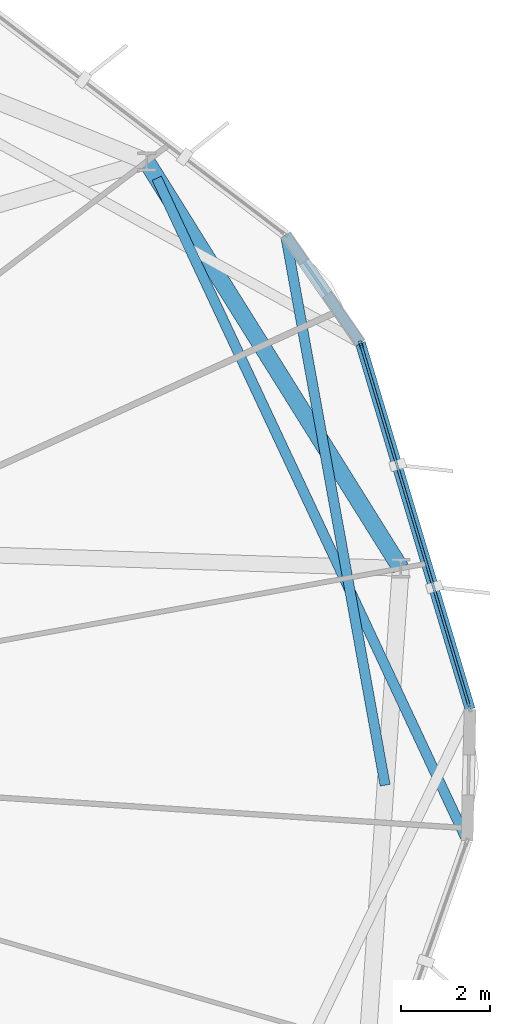
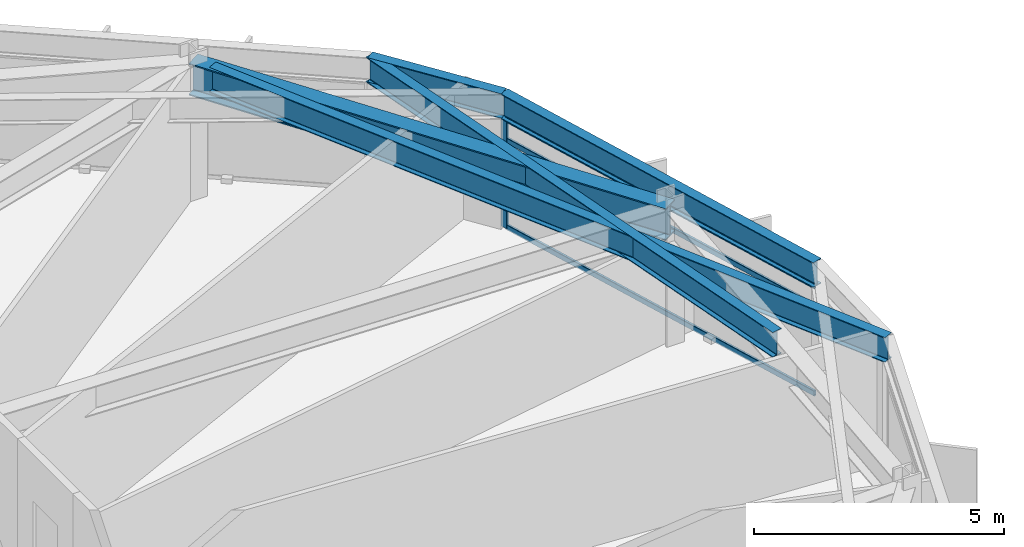
# One storey, part 10 of 22: 5 beams, 4 members, 1 element without a shape of its own.
"""IFC4 building model written with IfcOpenShell, lengths in metres."""

from ifc_helpers import new_model, si_unit, direction, frame, origin, origin_2d, place, context, subcontext, project, spatial, hollow_rectangle, i_section, extrude, material, layer, layer_set, material_profile, profile_set, type_object, element, aggregate, save


model = new_model("IFC4")

# Units and contexts
model_context = context("Model", 3, precision=1e-05, world=origin(), true_north=direction((0.0, 1.0)))
body_context = subcontext(model_context, "Body", "Model", "MODEL_VIEW")
ifc_project = project(units=[si_unit("LENGTHUNIT", "METRE"), si_unit("AREAUNIT", "SQUARE_METRE"), si_unit("VOLUMEUNIT", "CUBIC_METRE"), si_unit("PLANEANGLEUNIT", "RADIAN"), si_unit("MASSUNIT", "GRAM", prefix="KILO")], contexts=[model_context])

# Site, building, storey
site_placement = place(None, origin())
site = spatial("IfcSite", under=ifc_project, at=site_placement, CompositionType="ELEMENT")
building_placement = place(site_placement, origin())
building = spatial("IfcBuilding", under=site, at=building_placement, Name="Soratama Intermodal Tower", CompositionType="ELEMENT")
storey_placement = place(building_placement, frame((0.0, 0.0, 160.60009765625)))
storey = spatial("IfcBuildingStorey", under=building, at=storey_placement, Name="L39", CompositionType="ELEMENT", Elevation=160.60009765625)

# Beams
ifc_material_1 = material(Name="Structural steel ASTM A992 Grade 50", Category="steel")
ifc_material_profile_1 = material_profile(ifc_material_1, i_section(OverallWidth=0.382080078125, OverallDepth=0.779052734375, WebThickness=0.01806640625, FlangeThickness=0.030029296875, FilletRadius=0.01806640625, at=origin_2d()), Name="W30X191")
ifc_profile_set_1 = profile_set([ifc_material_profile_1], Name="Structural steel ASTM A992 Grade 50")
beam_type_1 = type_object("IfcBeamType", Name="BM-RING-W30X191", PredefinedType="BEAM", material=ifc_profile_set_1)
beam_1_placement = place(storey_placement, frame((61.97998046875, 29.23388671875, 2.910400390625), z_axis=(-0.529891394359, 0.84806551055, 0.0), x_axis=(-0.84806551055, -0.529891394359, 0.0)))
element("IfcBeam", 1, at=beam_1_placement, inside=storey, type_object=beam_type_1, Name="BM-L39-RING-01", PredefinedType="BEAM", context=body_context, shape_type="SweptSolid", body=[
    extrude(i_section(OverallWidth=0.382080078125, OverallDepth=0.779052734375, WebThickness=0.01806640625, FlangeThickness=0.030029296875, FilletRadius=0.01806640625, at=origin_2d()), origin(), (0.0, 0.0, 1.0), 10.8154296875),
])
ifc_material_2 = material(Name="Structural steel ASTM A992 Grade 50", Category="steel")
ifc_material_profile_2 = material_profile(ifc_material_2, i_section(OverallWidth=0.22900390625, OverallDepth=0.612060546875, WebThickness=0.011962890625, FlangeThickness=0.01953125, FilletRadius=0.012939453125, at=origin_2d()), Name="W24X84")
ifc_profile_set_2 = profile_set([ifc_material_profile_2], Name="Structural steel ASTM A992 Grade 50")
beam_type_2 = type_object("IfcBeamType", Name="BM-SPN-W24X84", PredefinedType="SPANDREL", material=ifc_profile_set_2)
beam_2_placement = place(storey_placement, frame((63.5439453125, 26.055908203125, 2.993896484375), z_axis=(-0.286939985362, 0.957948560624, 0.0), x_axis=(-0.957948560624, -0.286939985362, 0.0)))
element("IfcBeam", 2, at=beam_2_placement, inside=storey, type_object=beam_type_2, Name="BS-L39-F10", PredefinedType="SPANDREL", context=body_context, shape_type="SweptSolid", body=[
    extrude(i_section(OverallWidth=0.22900390625, OverallDepth=0.612060546875, WebThickness=0.011962890625, FlangeThickness=0.01953125, FilletRadius=0.012939453125, at=origin_2d()), origin(), (0.0, 0.0, 1.0), 8.62158203125),
])
beam_3_placement = place(storey_placement, frame((61.070068359375, 34.31494140625, 2.993896484375), z_axis=(-0.568936094303, 0.822381736543, 0.0), x_axis=(-0.822381736543, -0.568936094303, 0.0)))
element("IfcBeam", 3, at=beam_3_placement, inside=storey, type_object=beam_type_2, Name="BS-L39-CRN10", PredefinedType="SPANDREL", context=body_context, shape_type="SweptSolid", body=[
    extrude(i_section(OverallWidth=0.22900390625, OverallDepth=0.612060546875, WebThickness=0.011962890625, FlangeThickness=0.01953125, FilletRadius=0.012939453125, at=origin_2d()), origin(), (0.0, 0.0, 1.0), 2.967041015625),
])
ifc_material_3 = material(Name="Structural steel ASTM A992 Grade 50", Category="steel")
ifc_material_profile_3 = material_profile(ifc_material_3, i_section(OverallWidth=0.22900390625, OverallDepth=0.612060546875, WebThickness=0.011962890625, FlangeThickness=0.01953125, FilletRadius=0.012939453125, at=origin_2d()), Name="W24X84")
ifc_profile_set_3 = profile_set([ifc_material_profile_3], Name="Structural steel ASTM A992 Grade 50")
beam_type_3 = type_object("IfcBeamType", Name="BM-TIE-W24X84", PredefinedType="BEAM", material=ifc_profile_set_3)
beam_4_placement = place(storey_placement, frame((61.6279296875, 24.343017578125, 2.993896484375), z_axis=(-0.178052462525, 0.98402099601, 0.0), x_axis=(-0.98402099601, -0.178052462525, 0.0)))
element("IfcBeam", 4, at=beam_4_placement, inside=storey, type_object=beam_type_3, Name="BM-L39-TIE0-01", PredefinedType="BEAM", context=body_context, shape_type="SweptSolid", body=[
    extrude(i_section(OverallWidth=0.22900390625, OverallDepth=0.612060546875, WebThickness=0.011962890625, FlangeThickness=0.01953125, FilletRadius=0.012939453125, at=origin_2d()), origin(), (0.0, 0.0, 1.0), 12.613525390625),
])
beam_5_placement = place(storey_placement, frame((56.47802734375, 38.031005859375, 2.993896484375), z_axis=(0.424182866781, -0.905576554207, 0.0), x_axis=(0.905576554207, 0.424182866781, 0.0)))
element("IfcBeam", 5, at=beam_5_placement, inside=storey, type_object=beam_type_3, Name="BM-L39-TIE1-09", PredefinedType="BEAM", context=body_context, shape_type="SweptSolid", body=[
    extrude(i_section(OverallWidth=0.22900390625, OverallDepth=0.612060546875, WebThickness=0.011962890625, FlangeThickness=0.01953125, FilletRadius=0.012939453125, at=origin_2d()), origin(), (0.0, 0.0, 1.0), 16.497802734375),
])

# Curtain wall, members
ifc_material_4 = material(Name="Double-glazed aluminium curtain wall", Category="aluminium")
ifc_layer = layer(ifc_material_4, 0.159912109375)
ifc_layer_set = layer_set([ifc_layer], Name="Double-glazed aluminium curtain wall")
curtain_wall_type = type_object("IfcCurtainWallType", Name="CW-SYS-4", PredefinedType="NOTDEFINED", material=ifc_layer_set)
curtain_wall_placement = place(storey_placement, origin())
curtain_wall = element("IfcCurtainWall", 6, at=curtain_wall_placement, inside=storey, type_object=curtain_wall_type, Name="L39 Faceted Curtain Wall F10", PredefinedType="NOTDEFINED")
ifc_material_5 = material(Name="Anodised aluminium AA 6063-T6", Category="aluminium")
ifc_material_profile_4 = material_profile(ifc_material_5, hollow_rectangle(XDim=0.070068359375, YDim=0.159912109375, WallThickness=0.0048828125, InnerFilletRadius=0.0048828125, OuterFilletRadius=0.010009765625, at=origin_2d()), Name="CWM160X70X5")
ifc_profile_set_4 = profile_set([ifc_material_profile_4], Name="Anodised aluminium AA 6063-T6")
member_type_1 = type_object("IfcMemberType", Name="MT-CWM-4", PredefinedType="MULLION", material=ifc_profile_set_4)
member_1_placement = place(storey_placement, frame((61.078125, 34.286376953125, 0.0), z_axis=(0.0, 0.0, 1.0), x_axis=(-0.957922322033, -0.287027568278, 0.0)))
member_1 = element("IfcMember", 7, at=member_1_placement, type_object=member_type_1, Name="CW-4 mullion 2", PredefinedType="MULLION", context=body_context, shape_type="SweptSolid", body=[
    extrude(hollow_rectangle(XDim=0.070068359375, YDim=0.159912109375, WallThickness=0.0048828125, InnerFilletRadius=0.0048828125, OuterFilletRadius=0.010009765625, at=origin_2d()), origin(), (0.0, 0.0, 1.0), 2.678955078125),
])
ifc_material_6 = material(Name="Anodised aluminium AA 6063-T6", Category="aluminium")
ifc_material_profile_5 = material_profile(ifc_material_6, hollow_rectangle(XDim=0.06005859375, YDim=0.1298828125, WallThickness=0.0048828125, InnerFilletRadius=0.0048828125, OuterFilletRadius=0.010009765625, at=origin_2d()), Name="CWT130X60X5")
ifc_profile_set_5 = profile_set([ifc_material_profile_5], Name="Anodised aluminium AA 6063-T6")
member_type_2 = type_object("IfcMemberType", Name="TT-CWT-2", PredefinedType="USERDEFINED", material=ifc_profile_set_5)
member_2_placement = place(storey_placement, frame((63.527099609375, 26.11376953125, 0.02978515625), z_axis=(-0.287029081644, 0.957921868573, 0.0), x_axis=(-0.957921868573, -0.287029081644, 0.0)))
member_2 = element("IfcMember", 8, at=member_2_placement, type_object=member_type_2, Name="CW-4 transom 1.1", ObjectType="TRANSOM", PredefinedType="USERDEFINED", context=body_context, shape_type="SweptSolid", body=[
    extrude(hollow_rectangle(XDim=0.06005859375, YDim=0.1298828125, WallThickness=0.0048828125, InnerFilletRadius=0.0048828125, OuterFilletRadius=0.010009765625, at=origin_2d()), origin(), (0.0, 0.0, 1.0), 8.50146484375),
])
member_3_placement = place(storey_placement, frame((63.527099609375, 26.11376953125, 2.14990234375), z_axis=(-0.287029081644, 0.957921868573, 0.0), x_axis=(-0.957921868573, -0.287029081644, 0.0)))
member_3 = element("IfcMember", 9, at=member_3_placement, type_object=member_type_2, Name="CW-4 transom 1.2", ObjectType="TRANSOM", PredefinedType="USERDEFINED", context=body_context, shape_type="SweptSolid", body=[
    extrude(hollow_rectangle(XDim=0.06005859375, YDim=0.1298828125, WallThickness=0.0048828125, InnerFilletRadius=0.0048828125, OuterFilletRadius=0.010009765625, at=origin_2d()), origin(), (0.0, 0.0, 1.0), 8.50146484375),
])
member_4_placement = place(storey_placement, frame((63.527099609375, 26.11376953125, 2.64892578125), z_axis=(-0.287029081644, 0.957921868573, 0.0), x_axis=(-0.957921868573, -0.287029081644, 0.0)))
member_4 = element("IfcMember", 10, at=member_4_placement, type_object=member_type_2, Name="CW-4 transom 1.3", ObjectType="TRANSOM", PredefinedType="USERDEFINED", context=body_context, shape_type="SweptSolid", body=[
    extrude(hollow_rectangle(XDim=0.06005859375, YDim=0.1298828125, WallThickness=0.0048828125, InnerFilletRadius=0.0048828125, OuterFilletRadius=0.010009765625, at=origin_2d()), origin(), (0.0, 0.0, 1.0), 8.50146484375),
])
aggregate(curtain_wall, [member_1, member_2, member_3, member_4])

save(model, "model.ifc")
